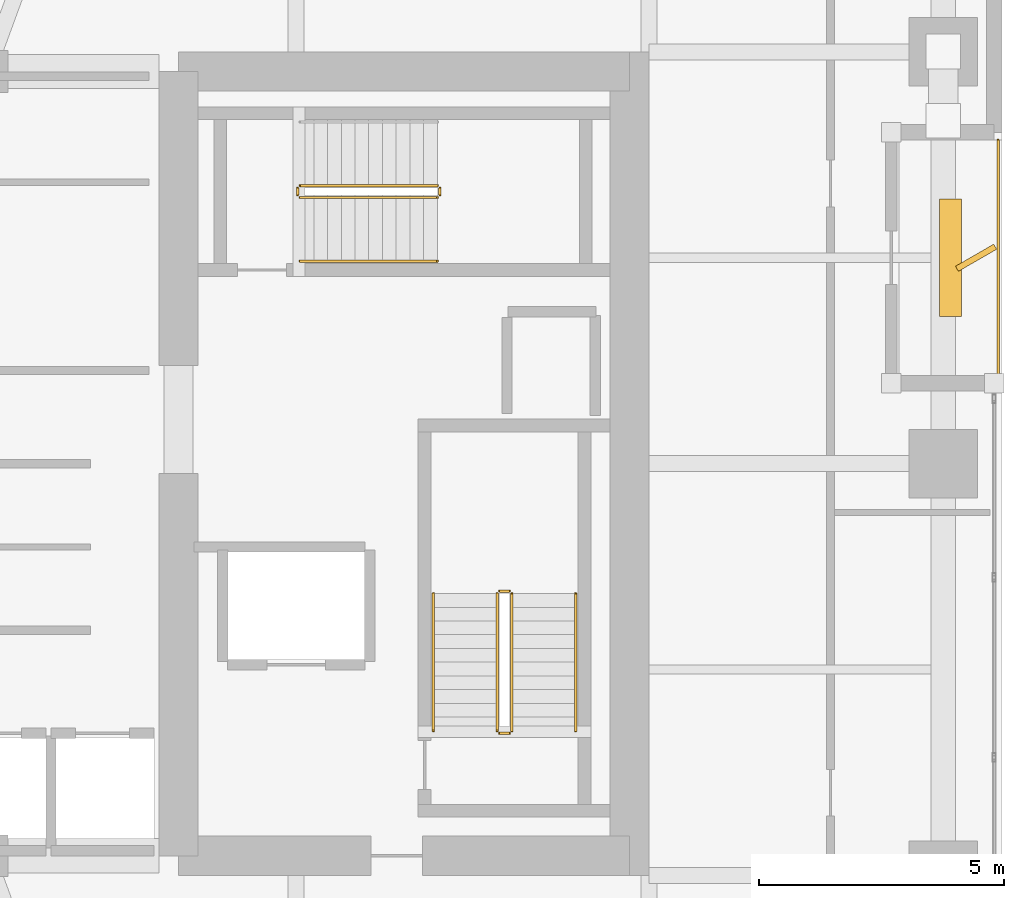
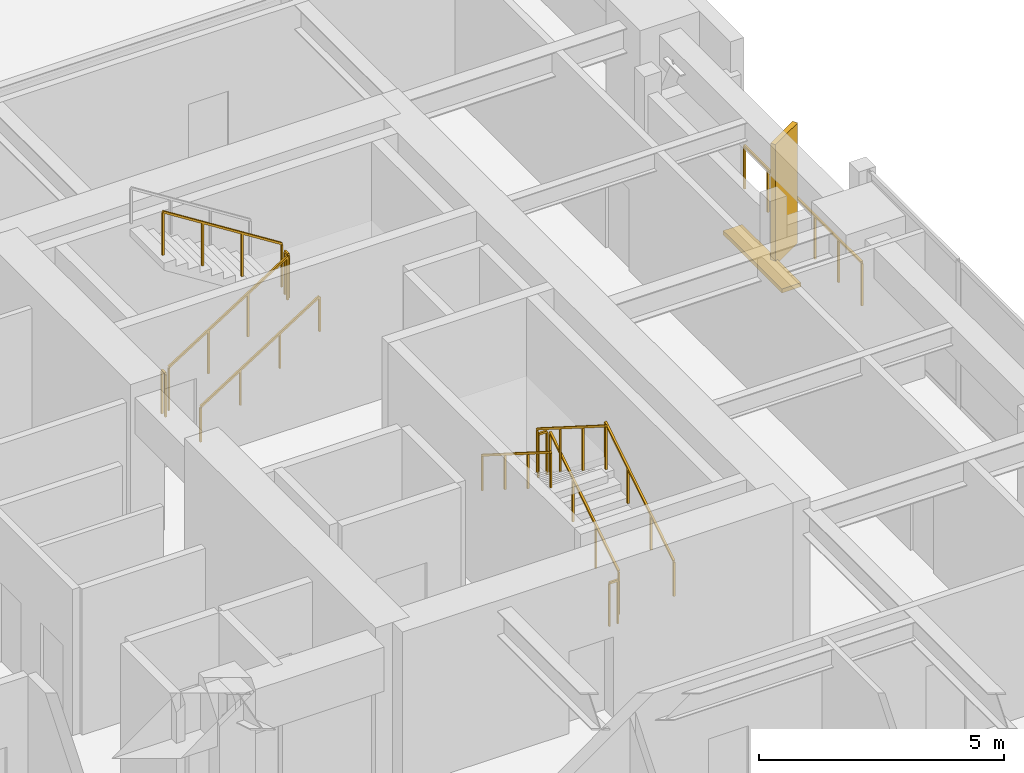
# One storey, part 23 of 24: 12 railings, 2 shading devices.
"""IFC4 building model written with IfcOpenShell, lengths in metres."""

from ifc_helpers import new_model, si_unit, direction, frame, origin, origin_2d, place, context, subcontext, project, spatial, rectangle, extrude, material, type_object, element, save


model = new_model("IFC4")

# Units and contexts
model_context = context("Model", 3, precision=1e-05, world=origin(), true_north=direction((0.0, 1.0)))
body_context = subcontext(model_context, "Body", "Model", "MODEL_VIEW")
ifc_project = project(units=[si_unit("LENGTHUNIT", "METRE"), si_unit("AREAUNIT", "SQUARE_METRE"), si_unit("VOLUMEUNIT", "CUBIC_METRE"), si_unit("PLANEANGLEUNIT", "RADIAN"), si_unit("MASSUNIT", "GRAM", prefix="KILO")], contexts=[model_context])

# Site, building, storey
site_placement = place(None, origin())
site = spatial("IfcSite", under=ifc_project, at=site_placement, CompositionType="ELEMENT")
building_placement = place(site_placement, origin())
building = spatial("IfcBuilding", under=site, at=building_placement, Name="Kiyonajd Concourse Tower", CompositionType="ELEMENT")
storey_placement = place(building_placement, frame((0.0, 0.0, 113.10009765625)))
storey = spatial("IfcBuildingStorey", under=building, at=storey_placement, Name="L29", CompositionType="ELEMENT", Elevation=113.10009765625)

# Railings
ifc_material_1 = material(Name="Thermally Broken Anodised Aluminium", Category="aluminium")
railing_type_1 = type_object("IfcRailingType", Name="RL-GRD-LOG", PredefinedType="GUARDRAIL", material=ifc_material_1)
railing_1_placement = place(storey_placement, frame((70.719970703125, 37.800048828125, 0.0)))
element("IfcRailing", 1, at=railing_1_placement, inside=storey, type_object=railing_type_1, Name="L29 Engawa Loggia Perimeter Guard LOG-E", PredefinedType="GUARDRAIL", context=body_context, shape_type="SweptSolid", body=[
    extrude(rectangle(XDim=0.048095703125, YDim=0.048095703125, at=origin_2d()), frame((0.0, 0.0, 1.076171875), z_axis=(0.0, 1.0, 0.0), x_axis=(-1.0, 0.0, 0.0)), (0.0, 0.0, 1.0), 4.800048828125),
    extrude(rectangle(XDim=0.0419921875, YDim=0.0419921875, at=origin_2d()), origin(), (0.0, 0.0, 1.0), 1.052001953125),
    extrude(rectangle(XDim=0.0419921875, YDim=0.0419921875, at=origin_2d()), frame((0.0, 0.9599609375, 0.0)), (0.0, 0.0, 1.0), 1.052001953125),
    extrude(rectangle(XDim=0.0419921875, YDim=0.0419921875, at=origin_2d()), frame((0.0, 1.919921875, 0.0)), (0.0, 0.0, 1.0), 1.052001953125),
    extrude(rectangle(XDim=0.0419921875, YDim=0.0419921875, at=origin_2d()), frame((0.0, 2.880126953125, 0.0)), (0.0, 0.0, 1.0), 1.052001953125),
    extrude(rectangle(XDim=0.0419921875, YDim=0.0419921875, at=origin_2d()), frame((0.0, 3.840087890625, 0.0)), (0.0, 0.0, 1.0), 1.052001953125),
    extrude(rectangle(XDim=0.0419921875, YDim=0.0419921875, at=origin_2d()), frame((0.0, 4.800048828125, 0.0)), (0.0, 0.0, 1.0), 1.052001953125),
])
ifc_material_2 = material(Name="Steel ASTM A500 Grade C", Category="steel")
railing_type_2 = type_object("IfcRailingType", Name="RL-GRD-STR", PredefinedType="GUARDRAIL", material=ifc_material_2)
railing_2_placement = place(storey_placement, frame((60.800048828125, 30.550048828125, 0.17724609375)))
element("IfcRailing", 2, at=railing_2_placement, inside=storey, type_object=railing_type_2, Name="L29 ST2 stair guard 1", PredefinedType="GUARDRAIL", context=body_context, shape_type="SweptSolid", body=[
    extrude(rectangle(XDim=0.048095703125, YDim=0.048095703125, at=origin_2d()), frame((0.0, 0.0, 1.076171875), z_axis=(0.0, 0.844908973607, 0.534910110503), x_axis=(-1.0, 0.0, 0.0)), (0.0, 0.0, 1.0), 3.31396484375),
    extrude(rectangle(XDim=0.0419921875, YDim=0.0419921875, at=origin_2d()), origin(), (0.0, 0.0, 1.0), 1.052001953125),
    extrude(rectangle(XDim=0.0419921875, YDim=0.0419921875, at=origin_2d()), frame((0.0, 0.933349609375, 0.5908203125)), (0.0, 0.0, 1.0), 1.052001953125),
    extrude(rectangle(XDim=0.0419921875, YDim=0.0419921875, at=origin_2d()), frame((0.0, 1.86669921875, 1.181884765625)), (0.0, 0.0, 1.0), 1.052001953125),
    extrude(rectangle(XDim=0.0419921875, YDim=0.0419921875, at=origin_2d()), frame((0.0, 2.800048828125, 1.772705078125)), (0.0, 0.0, 1.0), 1.052001953125),
])
railing_3_placement = place(storey_placement, frame((60.75, 33.39990234375, 1.949951171875)))
element("IfcRailing", 3, at=railing_3_placement, inside=storey, type_object=railing_type_2, Name="L29 ST2 stair guard 2", PredefinedType="GUARDRAIL", context=body_context, shape_type="SweptSolid", body=[
    extrude(rectangle(XDim=0.048095703125, YDim=0.048095703125, at=origin_2d()), frame((0.0, 0.0, 1.076171875), z_axis=(-1.0, 0.0, 0.0), x_axis=(0.0, -1.0, 0.0)), (0.0, 0.0, 1.0), 0.199951171875),
    extrude(rectangle(XDim=0.0419921875, YDim=0.0419921875, at=origin_2d()), origin(), (0.0, 0.0, 1.0), 1.052001953125),
    extrude(rectangle(XDim=0.0419921875, YDim=0.0419921875, at=origin_2d()), frame((-0.199951171875, 0.0, 0.0)), (0.0, 0.0, 1.0), 1.052001953125),
])
railing_4_placement = place(storey_placement, frame((60.5, 33.35009765625, 2.127197265625)))
element("IfcRailing", 4, at=railing_4_placement, inside=storey, type_object=railing_type_2, Name="L29 ST2 stair guard 3", PredefinedType="GUARDRAIL", context=body_context, shape_type="SweptSolid", body=[
    extrude(rectangle(XDim=0.048095703125, YDim=0.048095703125, at=origin_2d()), frame((0.0, 0.0, 1.076171875), z_axis=(0.0, -0.844908973607, 0.534910110503), x_axis=(1.0, 0.0, 0.0)), (0.0, 0.0, 1.0), 3.31396484375),
    extrude(rectangle(XDim=0.0419921875, YDim=0.0419921875, at=origin_2d()), origin(), (0.0, 0.0, 1.0), 1.052001953125),
    extrude(rectangle(XDim=0.0419921875, YDim=0.0419921875, at=origin_2d()), frame((0.0, -0.933349609375, 0.5908203125)), (0.0, 0.0, 1.0), 1.052001953125),
    extrude(rectangle(XDim=0.0419921875, YDim=0.0419921875, at=origin_2d()), frame((0.0, -1.86669921875, 1.181884765625)), (0.0, 0.0, 1.0), 1.052001953125),
    extrude(rectangle(XDim=0.0419921875, YDim=0.0419921875, at=origin_2d()), frame((0.0, -2.800048828125, 1.772705078125)), (0.0, 0.0, 1.0), 1.052001953125),
])
railing_5_placement = place(storey_placement, frame((60.75, 30.5, 0.0)))
element("IfcRailing", 5, at=railing_5_placement, inside=storey, type_object=railing_type_2, Name="L29 ST2 stair guard 4", PredefinedType="GUARDRAIL", context=body_context, shape_type="SweptSolid", body=[
    extrude(rectangle(XDim=0.048095703125, YDim=0.048095703125, at=origin_2d()), frame((0.0, 0.0, 1.076171875), z_axis=(-1.0, 0.0, 0.0), x_axis=(0.0, -1.0, 0.0)), (0.0, 0.0, 1.0), 0.199951171875),
    extrude(rectangle(XDim=0.0419921875, YDim=0.0419921875, at=origin_2d()), origin(), (0.0, 0.0, 1.0), 1.052001953125),
    extrude(rectangle(XDim=0.0419921875, YDim=0.0419921875, at=origin_2d()), frame((-0.199951171875, 0.0, 0.0)), (0.0, 0.0, 1.0), 1.052001953125),
])
railing_6_placement = place(storey_placement, frame((56.47998046875, 41.429931640625, 0.17724609375)))
element("IfcRailing", 6, at=railing_6_placement, inside=storey, type_object=railing_type_2, Name="L29 ST3 stair guard 1", PredefinedType="GUARDRAIL", context=body_context, shape_type="SweptSolid", body=[
    extrude(rectangle(XDim=0.048095703125, YDim=0.048095703125, at=origin_2d()), frame((0.0, 0.0, 1.076171875), z_axis=(0.844908973607, 0.0, 0.534910110503), x_axis=(0.0, 1.0, 0.0)), (0.0, 0.0, 1.0), 3.31396484375),
    extrude(rectangle(XDim=0.0419921875, YDim=0.0419921875, at=origin_2d()), origin(), (0.0, 0.0, 1.0), 1.052001953125),
    extrude(rectangle(XDim=0.0419921875, YDim=0.0419921875, at=origin_2d()), frame((0.933349609375, 0.0, 0.5908203125)), (0.0, 0.0, 1.0), 1.052001953125),
    extrude(rectangle(XDim=0.0419921875, YDim=0.0419921875, at=origin_2d()), frame((1.86669921875, 0.0, 1.181884765625)), (0.0, 0.0, 1.0), 1.052001953125),
    extrude(rectangle(XDim=0.0419921875, YDim=0.0419921875, at=origin_2d()), frame((2.800048828125, 0.0, 1.772705078125)), (0.0, 0.0, 1.0), 1.052001953125),
])
railing_7_placement = place(storey_placement, frame((59.330078125, 41.47998046875, 1.949951171875)))
element("IfcRailing", 7, at=railing_7_placement, inside=storey, type_object=railing_type_2, Name="L29 ST3 stair guard 2", PredefinedType="GUARDRAIL", context=body_context, shape_type="SweptSolid", body=[
    extrude(rectangle(XDim=0.048095703125, YDim=0.048095703125, at=origin_2d()), frame((0.0, 0.0, 1.076171875), z_axis=(0.0, 1.0, 0.0), x_axis=(-1.0, 0.0, 0.0)), (0.0, 0.0, 1.0), 0.14013671875),
    extrude(rectangle(XDim=0.0419921875, YDim=0.0419921875, at=origin_2d()), origin(), (0.0, 0.0, 1.0), 1.052001953125),
    extrude(rectangle(XDim=0.0419921875, YDim=0.0419921875, at=origin_2d()), frame((0.0, 0.14013671875, 0.0)), (0.0, 0.0, 1.0), 1.052001953125),
])
railing_8_placement = place(storey_placement, frame((59.280029296875, 41.669921875, 2.127197265625)))
element("IfcRailing", 8, at=railing_8_placement, inside=storey, type_object=railing_type_2, Name="L29 ST3 stair guard 3", PredefinedType="GUARDRAIL", context=body_context, shape_type="SweptSolid", body=[
    extrude(rectangle(XDim=0.048095703125, YDim=0.048095703125, at=origin_2d()), frame((0.0, 0.0, 1.076171875), z_axis=(-0.844908973607, 0.0, 0.534910110503), x_axis=(0.0, -1.0, 0.0)), (0.0, 0.0, 1.0), 3.31396484375),
    extrude(rectangle(XDim=0.0419921875, YDim=0.0419921875, at=origin_2d()), origin(), (0.0, 0.0, 1.0), 1.052001953125),
    extrude(rectangle(XDim=0.0419921875, YDim=0.0419921875, at=origin_2d()), frame((-0.933349609375, 0.0, 0.5908203125)), (0.0, 0.0, 1.0), 1.052001953125),
    extrude(rectangle(XDim=0.0419921875, YDim=0.0419921875, at=origin_2d()), frame((-1.86669921875, 0.0, 1.181884765625)), (0.0, 0.0, 1.0), 1.052001953125),
    extrude(rectangle(XDim=0.0419921875, YDim=0.0419921875, at=origin_2d()), frame((-2.800048828125, 0.0, 1.772705078125)), (0.0, 0.0, 1.0), 1.052001953125),
])
railing_9_placement = place(storey_placement, frame((56.429931640625, 41.47998046875, 0.0)))
element("IfcRailing", 9, at=railing_9_placement, inside=storey, type_object=railing_type_2, Name="L29 ST3 stair guard 4", PredefinedType="GUARDRAIL", context=body_context, shape_type="SweptSolid", body=[
    extrude(rectangle(XDim=0.048095703125, YDim=0.048095703125, at=origin_2d()), frame((0.0, 0.0, 1.076171875), z_axis=(0.0, 1.0, 0.0), x_axis=(-1.0, 0.0, 0.0)), (0.0, 0.0, 1.0), 0.14013671875),
    extrude(rectangle(XDim=0.0419921875, YDim=0.0419921875, at=origin_2d()), origin(), (0.0, 0.0, 1.0), 1.052001953125),
    extrude(rectangle(XDim=0.0419921875, YDim=0.0419921875, at=origin_2d()), frame((0.0, 0.14013671875, 0.0)), (0.0, 0.0, 1.0), 1.052001953125),
])
ifc_material_3 = material(Name="Brushed Stainless Steel Cab Assembly", Category="steel")
railing_type_3 = type_object("IfcRailingType", Name="RL-HND-900", PredefinedType="HANDRAIL", material=ifc_material_3)
railing_10_placement = place(storey_placement, frame((62.10009765625, 30.550048828125, 0.17724609375)))
element("IfcRailing", 10, at=railing_10_placement, inside=storey, type_object=railing_type_3, Name="L29 ST2 stair handrail 1", PredefinedType="HANDRAIL", context=body_context, shape_type="SweptSolid", body=[
    extrude(rectangle(XDim=0.048095703125, YDim=0.048095703125, at=origin_2d()), frame((0.0, 0.0, 0.8759765625), z_axis=(0.0, 0.844908973607, 0.534910110503), x_axis=(-1.0, 0.0, 0.0)), (0.0, 0.0, 1.0), 3.31396484375),
    extrude(rectangle(XDim=0.0419921875, YDim=0.0419921875, at=origin_2d()), origin(), (0.0, 0.0, 1.0), 0.851806640625),
    extrude(rectangle(XDim=0.0419921875, YDim=0.0419921875, at=origin_2d()), frame((0.0, 0.933349609375, 0.5908203125)), (0.0, 0.0, 1.0), 0.851806640625),
    extrude(rectangle(XDim=0.0419921875, YDim=0.0419921875, at=origin_2d()), frame((0.0, 1.86669921875, 1.181884765625)), (0.0, 0.0, 1.0), 0.851806640625),
    extrude(rectangle(XDim=0.0419921875, YDim=0.0419921875, at=origin_2d()), frame((0.0, 2.800048828125, 1.772705078125)), (0.0, 0.0, 1.0), 0.851806640625),
])
railing_11_placement = place(storey_placement, frame((59.199951171875, 33.35009765625, 2.127197265625)))
element("IfcRailing", 11, at=railing_11_placement, inside=storey, type_object=railing_type_3, Name="L29 ST2 stair handrail 2", PredefinedType="HANDRAIL", context=body_context, shape_type="SweptSolid", body=[
    extrude(rectangle(XDim=0.048095703125, YDim=0.048095703125, at=origin_2d()), frame((0.0, 0.0, 0.8759765625), z_axis=(0.0, -0.844908973607, 0.534910110503), x_axis=(1.0, 0.0, 0.0)), (0.0, 0.0, 1.0), 3.31396484375),
    extrude(rectangle(XDim=0.0419921875, YDim=0.0419921875, at=origin_2d()), origin(), (0.0, 0.0, 1.0), 0.851806640625),
    extrude(rectangle(XDim=0.0419921875, YDim=0.0419921875, at=origin_2d()), frame((0.0, -0.933349609375, 0.5908203125)), (0.0, 0.0, 1.0), 0.851806640625),
    extrude(rectangle(XDim=0.0419921875, YDim=0.0419921875, at=origin_2d()), frame((0.0, -1.86669921875, 1.181884765625)), (0.0, 0.0, 1.0), 0.851806640625),
    extrude(rectangle(XDim=0.0419921875, YDim=0.0419921875, at=origin_2d()), frame((0.0, -2.800048828125, 1.772705078125)), (0.0, 0.0, 1.0), 0.851806640625),
])
railing_12_placement = place(storey_placement, frame((56.47998046875, 40.1298828125, 0.17724609375)))
element("IfcRailing", 12, at=railing_12_placement, inside=storey, type_object=railing_type_3, Name="L29 ST3 stair handrail 1", PredefinedType="HANDRAIL", context=body_context, shape_type="SweptSolid", body=[
    extrude(rectangle(XDim=0.048095703125, YDim=0.048095703125, at=origin_2d()), frame((0.0, 0.0, 0.8759765625), z_axis=(0.844908973607, 0.0, 0.534910110503), x_axis=(0.0, 1.0, 0.0)), (0.0, 0.0, 1.0), 3.31396484375),
    extrude(rectangle(XDim=0.0419921875, YDim=0.0419921875, at=origin_2d()), origin(), (0.0, 0.0, 1.0), 0.851806640625),
    extrude(rectangle(XDim=0.0419921875, YDim=0.0419921875, at=origin_2d()), frame((0.933349609375, 0.0, 0.5908203125)), (0.0, 0.0, 1.0), 0.851806640625),
    extrude(rectangle(XDim=0.0419921875, YDim=0.0419921875, at=origin_2d()), frame((1.86669921875, 0.0, 1.181884765625)), (0.0, 0.0, 1.0), 0.851806640625),
    extrude(rectangle(XDim=0.0419921875, YDim=0.0419921875, at=origin_2d()), frame((2.800048828125, 0.0, 1.772705078125)), (0.0, 0.0, 1.0), 0.851806640625),
])

# Shading devices
ifc_material_4 = material(Name="Precast concrete C50/60", Category="concrete")
shading_device_type_1 = type_object("IfcShadingDeviceType", Name="SH-FIN-900", PredefinedType="USERDEFINED", material=ifc_material_4)
shading_device_1_placement = place(storey_placement, frame((70.27001953125, 40.199951171875, 0.0), z_axis=(0.0, 0.0, 1.0), x_axis=(0.866025403784, 0.5, 0.0)))
element("IfcShadingDevice", 13, at=shading_device_1_placement, inside=storey, type_object=shading_device_type_1, Name="L29 Angled Koshi Solar Fin LOG-E", ObjectType="FIN", PredefinedType="USERDEFINED", context=body_context, shape_type="SweptSolid", body=[
    extrude(rectangle(XDim=0.89990234375, YDim=0.1201171875, at=origin_2d()), origin(), (0.0, 0.0, 1.0), 3.0),
])
shading_device_type_2 = type_object("IfcShadingDeviceType", Name="SH-LVR-600", PredefinedType="JALOUSIE", material=ifc_material_1)
shading_device_2_placement = place(storey_placement, frame((69.75, 40.199951171875, -0.000244140625), z_axis=(0.0, 0.0, 1.0), x_axis=(0.0, 1.0, 0.0)))
element("IfcShadingDevice", 14, at=shading_device_2_placement, inside=storey, type_object=shading_device_type_2, Name="L29 Loggia Threshold Louver LOG-E", PredefinedType="JALOUSIE", context=body_context, shape_type="SweptSolid", body=[
    extrude(rectangle(XDim=2.39990234375, YDim=0.449951171875, at=origin_2d()), origin(), (0.0, 0.0, 1.0), 0.10009765625),
])

save(model, "model.ifc")
